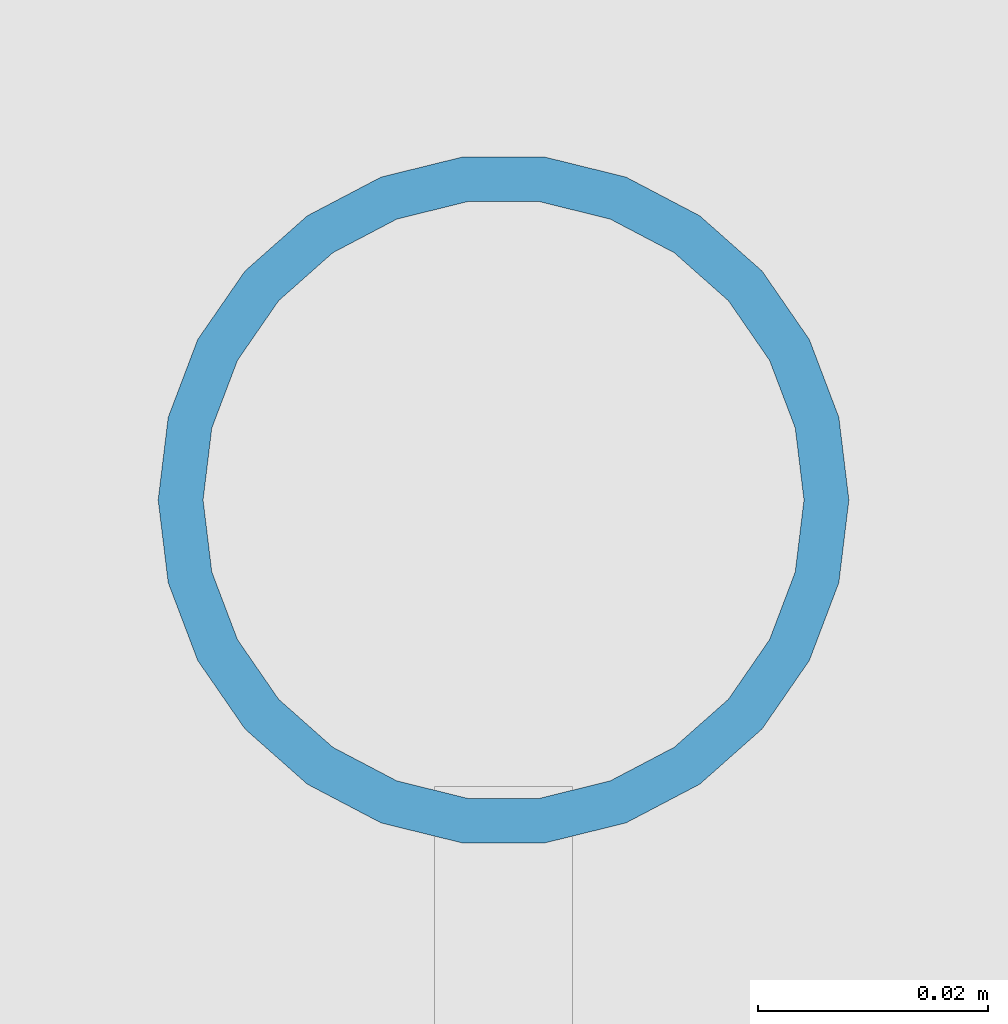
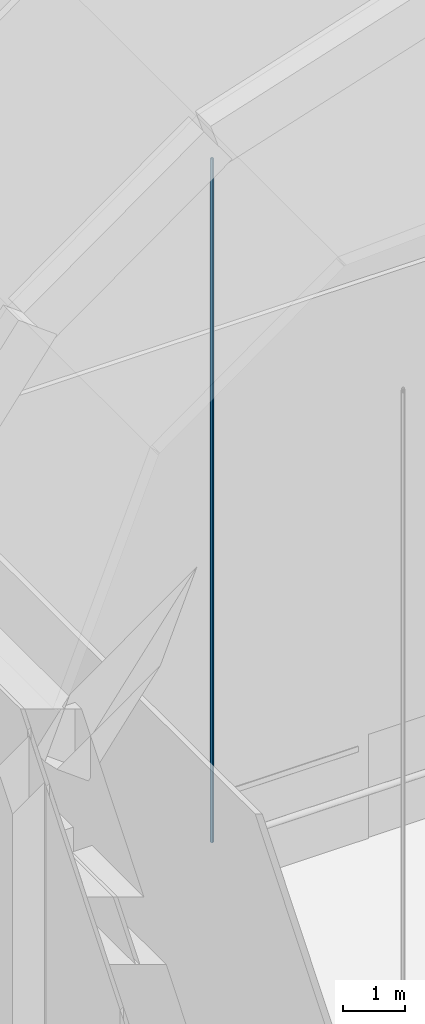
# One storey, part 20 of 55: 1 member.
"""IFC4 building model written with IfcOpenShell, lengths in metres."""

from ifc_helpers import new_model, si_unit, direction, frame, origin, origin_2d, place, context, subcontext, project, spatial, hollow_circle, extrude, material, material_profile, profile_set, type_object, element, save


model = new_model("IFC4")

# Units and contexts
model_context = context("Model", 3, precision=1e-05, world=origin(), true_north=direction((0.0, 1.0)))
body_context = subcontext(model_context, "Body", "Model", "MODEL_VIEW")
ifc_project = project(units=[si_unit("LENGTHUNIT", "METRE"), si_unit("AREAUNIT", "SQUARE_METRE"), si_unit("VOLUMEUNIT", "CUBIC_METRE"), si_unit("PLANEANGLEUNIT", "RADIAN"), si_unit("MASSUNIT", "GRAM", prefix="KILO")], contexts=[model_context])

# Site, building, storey
site_placement = place(None, origin())
site = spatial("IfcSite", under=ifc_project, at=site_placement, CompositionType="ELEMENT")
building_placement = place(site_placement, origin())
building = spatial("IfcBuilding", under=site, at=building_placement, Name="Lunette Opera House", CompositionType="ELEMENT")
storey_placement = place(building_placement, frame((0.0, 0.0, 34.0)))
storey = spatial("IfcBuildingStorey", under=building, at=storey_placement, Name="L06", CompositionType="ELEMENT", Elevation=34.0)

# Member
ifc_material = material(Name="Steel S355", Category="steel")
ifc_material_profile = material_profile(ifc_material, hollow_circle(Radius=0.030029296875, WallThickness=0.00390625, at=origin_2d()), Name="CHS 60.3X4")
ifc_profile_set = profile_set([ifc_material_profile], Name="Steel S355")
member_type = type_object("IfcMemberType", Name="CHS 60.3X4", PredefinedType="POST", material=ifc_profile_set)
member_placement = place(storey_placement, frame((90.0, 114.199951171875, 4.030029296875), z_axis=(0.0, 0.0, 1.0), x_axis=(1.0, 0.0, 0.0)))
element("IfcMember", 1, at=member_placement, inside=storey, type_object=member_type, Name="mem-ST-L06-TH4-90", PredefinedType="POST", context=body_context, shape_type="SweptSolid", body=[
    extrude(hollow_circle(Radius=0.030029296875, WallThickness=0.00390625, at=origin_2d()), origin(), (0.0, 0.0, 1.0), 13.5390625),
])

save(model, "model.ifc")
